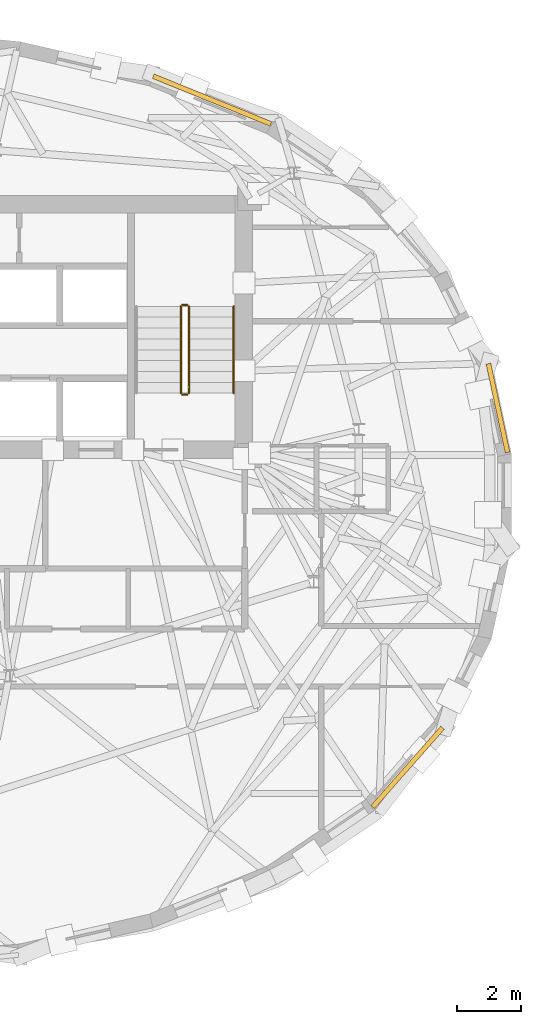
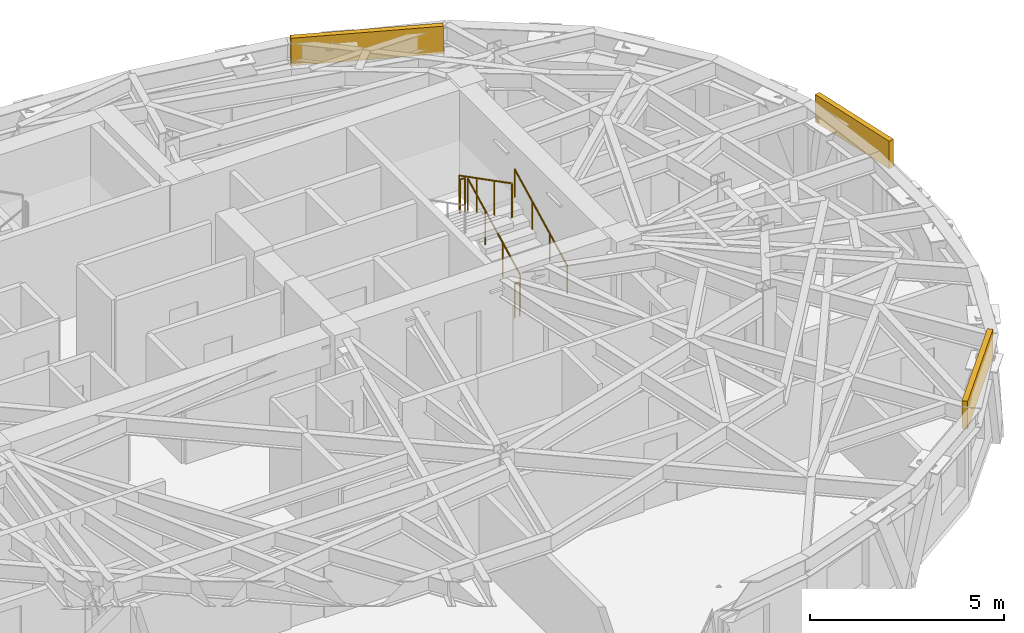
# One storey, part 13 of 13: 5 railings, 3 coverings.
"""IFC4 building model written with IfcOpenShell, lengths in metres."""

from ifc_helpers import new_model, si_unit, direction, frame, origin, origin_2d, place, context, subcontext, project, spatial, rectangle, circle, extrude, material, layer, layer_set, type_object, element, save


model = new_model("IFC4")

# Units and contexts
model_context = context("Model", 3, precision=1e-05, world=origin(), true_north=direction((0.0, 1.0)))
body_context = subcontext(model_context, "Body", "Model", "MODEL_VIEW")
ifc_project = project(units=[si_unit("LENGTHUNIT", "METRE"), si_unit("AREAUNIT", "SQUARE_METRE"), si_unit("VOLUMEUNIT", "CUBIC_METRE"), si_unit("PLANEANGLEUNIT", "RADIAN"), si_unit("MASSUNIT", "GRAM", prefix="KILO")], contexts=[model_context])

# Site, building, storey
site_placement = place(None, origin())
site = spatial("IfcSite", under=ifc_project, at=site_placement, CompositionType="ELEMENT")
building_placement = place(site_placement, origin())
building = spatial("IfcBuilding", under=site, at=building_placement, Name="Keldmark Tower", CompositionType="ELEMENT")
storey_placement = place(building_placement, frame((0.0, 0.0, 244.64990234375)))
storey = spatial("IfcBuildingStorey", under=building, at=storey_placement, Name="L69", CompositionType="ELEMENT", Elevation=244.64990234375)

# Coverings
ifc_material_1 = material(Name="Honed Kasota Buff Dolomitic Limestone", Category="masonry")
ifc_layer = layer(ifc_material_1, 0.074951171875)
ifc_layer_set = layer_set([ifc_layer], Name="Honed Kasota Buff Dolomitic Limestone")
covering_type = type_object("IfcCoveringType", Name="Kasota Buff Limestone Spandrel Cladding Band", PredefinedType="CLADDING", material=ifc_layer_set)
covering_1_placement = place(storey_placement, frame((21.389404296875, 2.884033203125, 2.260009765625), z_axis=(0.0, 0.0, 1.0), x_axis=(-0.210540008659, 0.977585241682, 0.0)))
element("IfcCovering", 1, at=covering_1_placement, inside=storey, type_object=covering_type, Name="L69 Kasota Limestone Spandrel Band 01", PredefinedType="CLADDING", context=body_context, shape_type="SweptSolid", body=[
    extrude(rectangle(XDim=2.847412109375, YDim=0.14990234375, at=origin_2d()), origin(), (0.0, 0.0, 1.0), 0.8701171875),
])
covering_2_placement = place(storey_placement, frame((12.426513671875, 12.53759765625, 2.260009765625), z_axis=(0.0, 0.0, 1.0), x_axis=(-0.92672549442, 0.375739082333, 0.0)))
element("IfcCovering", 2, at=covering_2_placement, inside=storey, type_object=covering_type, Name="L69 Kasota Limestone Spandrel Band 05", PredefinedType="CLADDING", context=body_context, shape_type="SweptSolid", body=[
    extrude(rectangle(XDim=3.976318359375, YDim=0.14990234375, at=origin_2d()), origin(), (0.0, 0.0, 1.0), 0.8701171875),
])
covering_3_placement = place(storey_placement, frame((18.557373046875, -8.381591796875, 2.260009765625), z_axis=(0.0, 0.0, 1.0), x_axis=(0.661364231344, 0.750064899525, 0.0)))
element("IfcCovering", 3, at=covering_3_placement, inside=storey, type_object=covering_type, Name="L69 Kasota Limestone Spandrel Band 29", PredefinedType="CLADDING", context=body_context, shape_type="SweptSolid", body=[
    extrude(rectangle(XDim=3.31201171875, YDim=0.14990234375, at=origin_2d()), origin(), (0.0, 0.0, 1.0), 0.8701171875),
])

# Railings
ifc_material_2 = material(Name="Painted Steel ASTM A500 Grade B", Category="steel")
railing_type_1 = type_object("IfcRailingType", Name="Painted Steel Stair Well Guard 1100 mm", PredefinedType="GUARDRAIL", material=ifc_material_2)
railing_1_placement = place(storey_placement, frame((11.699951171875, 3.35009765625, 0.175048828125)))
element("IfcRailing", 4, at=railing_1_placement, inside=storey, type_object=railing_type_1, Name="L69 ST2 stair guard 1", PredefinedType="GUARDRAIL", context=body_context, shape_type="SweptSolid", body=[
    extrude(circle(Radius=0.02392578125, at=origin_2d()), frame((0.0, 0.0, 1.076171875), z_axis=(0.0, 0.889114319608, 0.457685182924), x_axis=(-1.0, 0.0, 0.0)), (0.0, 0.0, 1.0), 3.05908203125),
    extrude(circle(Radius=0.02099609375, at=origin_2d()), origin(), (0.0, 0.0, 1.0), 1.052001953125),
    extrude(circle(Radius=0.02099609375, at=origin_2d()), frame((0.0, 0.90673828125, 0.466796875)), (0.0, 0.0, 1.0), 1.052001953125),
    extrude(circle(Radius=0.02099609375, at=origin_2d()), frame((0.0, 1.813232421875, 0.933349609375)), (0.0, 0.0, 1.0), 1.052001953125),
    extrude(circle(Radius=0.02099609375, at=origin_2d()), frame((0.0, 2.719970703125, 1.400146484375)), (0.0, 0.0, 1.0), 1.052001953125),
])
railing_2_placement = place(storey_placement, frame((11.64990234375, 6.1201171875, 1.5751953125)))
element("IfcRailing", 5, at=railing_2_placement, inside=storey, type_object=railing_type_1, Name="L69 ST2 stair guard 2", PredefinedType="GUARDRAIL", context=body_context, shape_type="SweptSolid", body=[
    extrude(circle(Radius=0.02392578125, at=origin_2d()), frame((0.0, 0.0, 1.076171875), z_axis=(-1.0, 0.0, 0.0), x_axis=(0.0, -1.0, 0.0)), (0.0, 0.0, 1.0), 0.14990234375),
    extrude(circle(Radius=0.02099609375, at=origin_2d()), origin(), (0.0, 0.0, 1.0), 1.052001953125),
    extrude(circle(Radius=0.02099609375, at=origin_2d()), frame((-0.14990234375, 0.0, 0.0)), (0.0, 0.0, 1.0), 1.052001953125),
])
railing_3_placement = place(storey_placement, frame((11.449951171875, 6.070068359375, 1.75)))
element("IfcRailing", 6, at=railing_3_placement, inside=storey, type_object=railing_type_1, Name="L69 ST2 stair guard 3", PredefinedType="GUARDRAIL", context=body_context, shape_type="SweptSolid", body=[
    extrude(circle(Radius=0.02392578125, at=origin_2d()), frame((0.0, 0.0, 1.076171875), z_axis=(0.0, -0.889114319608, 0.457685182924), x_axis=(1.0, 0.0, 0.0)), (0.0, 0.0, 1.0), 3.05908203125),
    extrude(circle(Radius=0.02099609375, at=origin_2d()), origin(), (0.0, 0.0, 1.0), 1.052001953125),
    extrude(circle(Radius=0.02099609375, at=origin_2d()), frame((0.0, -0.90673828125, 0.466796875)), (0.0, 0.0, 1.0), 1.052001953125),
    extrude(circle(Radius=0.02099609375, at=origin_2d()), frame((0.0, -1.813232421875, 0.933349609375)), (0.0, 0.0, 1.0), 1.052001953125),
    extrude(circle(Radius=0.02099609375, at=origin_2d()), frame((0.0, -2.719970703125, 1.400146484375)), (0.0, 0.0, 1.0), 1.052001953125),
])
railing_4_placement = place(storey_placement, frame((11.64990234375, 3.300048828125, 0.0)))
element("IfcRailing", 7, at=railing_4_placement, inside=storey, type_object=railing_type_1, Name="L69 ST2 stair guard 4", PredefinedType="GUARDRAIL", context=body_context, shape_type="SweptSolid", body=[
    extrude(circle(Radius=0.02392578125, at=origin_2d()), frame((0.0, 0.0, 1.076171875), z_axis=(-1.0, 0.0, 0.0), x_axis=(0.0, -1.0, 0.0)), (0.0, 0.0, 1.0), 0.14990234375),
    extrude(circle(Radius=0.02099609375, at=origin_2d()), origin(), (0.0, 0.0, 1.0), 1.052001953125),
    extrude(circle(Radius=0.02099609375, at=origin_2d()), frame((-0.14990234375, 0.0, 0.0)), (0.0, 0.0, 1.0), 1.052001953125),
])
ifc_material_3 = material(Name="Stainless Steel AISI 316L", Category="steel")
railing_type_2 = type_object("IfcRailingType", Name="Stainless Steel Stair Handrail 900 mm", PredefinedType="HANDRAIL", material=ifc_material_3)
railing_5_placement = place(storey_placement, frame((13.10009765625, 3.35009765625, 0.175048828125)))
element("IfcRailing", 8, at=railing_5_placement, inside=storey, type_object=railing_type_2, Name="L69 ST2 stair handrail 1", PredefinedType="HANDRAIL", context=body_context, shape_type="SweptSolid", body=[
    extrude(circle(Radius=0.02392578125, at=origin_2d()), frame((0.0, 0.0, 0.8759765625), z_axis=(0.0, 0.889114319608, 0.457685182924), x_axis=(-1.0, 0.0, 0.0)), (0.0, 0.0, 1.0), 3.05908203125),
    extrude(circle(Radius=0.02099609375, at=origin_2d()), origin(), (0.0, 0.0, 1.0), 0.851806640625),
    extrude(circle(Radius=0.02099609375, at=origin_2d()), frame((0.0, 0.90673828125, 0.466796875)), (0.0, 0.0, 1.0), 0.851806640625),
    extrude(circle(Radius=0.02099609375, at=origin_2d()), frame((0.0, 1.813232421875, 0.933349609375)), (0.0, 0.0, 1.0), 0.851806640625),
    extrude(circle(Radius=0.02099609375, at=origin_2d()), frame((0.0, 2.719970703125, 1.400146484375)), (0.0, 0.0, 1.0), 0.851806640625),
])

save(model, "model.ifc")
